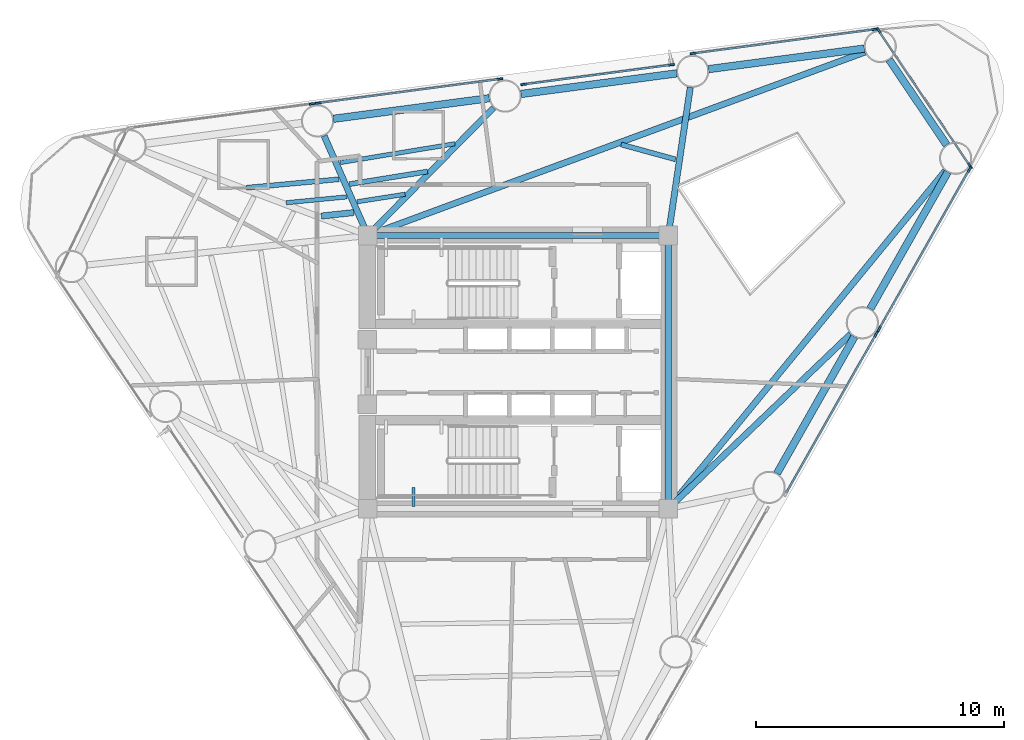
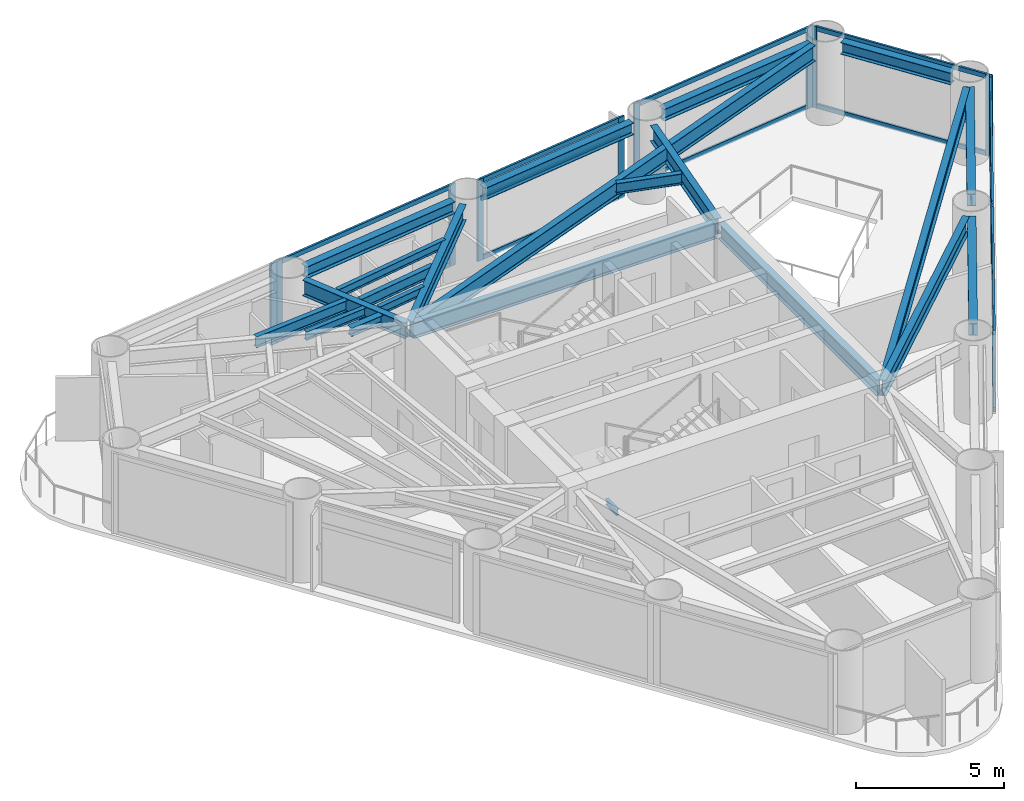
# One storey, part 3 of 9: 25 members, 22 beams, 7 elements without a shape of their own.
"""IFC4 building model written with IfcOpenShell, lengths in metres."""

from ifc_helpers import new_model, si_unit, direction, frame, origin, origin_2d, place, context, subcontext, project, spatial, rectangle, i_section, extrude, source, transform, mapped, material, layer, layer_set, material_profile, profile_set, type_object, element, aggregate, save


model = new_model("IFC4")

# Units and contexts
model_context = context("Model", 3, precision=1e-05, world=origin(), true_north=direction((0.0, 1.0)))
body_context = subcontext(model_context, "Body", "Model", "MODEL_VIEW")
ifc_project = project(units=[si_unit("LENGTHUNIT", "METRE"), si_unit("AREAUNIT", "SQUARE_METRE"), si_unit("VOLUMEUNIT", "CUBIC_METRE"), si_unit("PLANEANGLEUNIT", "RADIAN"), si_unit("MASSUNIT", "GRAM", prefix="KILO")], contexts=[model_context])

# Site, building, storey
site_placement = place(None, origin())
site = spatial("IfcSite", under=ifc_project, at=site_placement, CompositionType="ELEMENT")
building_placement = place(site_placement, origin())
building = spatial("IfcBuilding", under=site, at=building_placement, Name="Yunling Apex Tower", CompositionType="ELEMENT")
storey_placement = place(building_placement, frame((0.0, 0.0, 172.550048828125)))
storey = spatial("IfcBuildingStorey", under=building, at=storey_placement, Name="L42", CompositionType="ELEMENT", Elevation=172.550048828125)

# Beams
ifc_material_1 = material(Name="Steel Q355B", Category="steel")
ifc_material_profile_1 = material_profile(ifc_material_1, i_section(OverallWidth=0.125, OverallDepth=0.25, WebThickness=0.006103515625, FlangeThickness=0.009033203125, FilletRadius=0.011962890625, at=origin_2d()))
ifc_profile_set_1 = profile_set([ifc_material_profile_1], Name="Steel Q355B")
beam_type_1 = type_object("IfcBeamType", Name="BL-LNT-1", PredefinedType="LINTEL", material=ifc_profile_set_1)
shared_shape_1 = source(origin(), body_context, "Body", "SweptSolid", [
    extrude(i_section(OverallWidth=0.125, OverallDepth=0.25, WebThickness=0.006103515625, FlangeThickness=0.009033203125, FilletRadius=0.011962890625, at=origin_2d()), origin(), (0.0, 0.0, 1.0), 0.760009765625),
])
beam_1_placement = place(storey_placement, frame((-4.205078125, -5.419921875, 1.405029296875), z_axis=(0.0, 1.0, 0.0), x_axis=(-1.0, 0.0, 0.0)))
element("IfcBeam", 1, at=beam_1_placement, inside=storey, type_object=beam_type_1, Name="L42 ST-2 Landing Bearing Corbel 1-3", PredefinedType="LINTEL", context=body_context, shape_type="MappedRepresentation", body=[
    mapped(shared_shape_1, transform((0.0, 0.0, 0.0), scale=1.0)),
])
ifc_material_profile_2 = material_profile(ifc_material_1, i_section(OverallWidth=0.25, OverallDepth=0.64990234375, WebThickness=0.011962890625, FlangeThickness=0.02001953125, FilletRadius=0.02392578125, at=origin_2d()))
ifc_profile_set_2 = profile_set([ifc_material_profile_2], Name="Steel Q355B")
beam_type_2 = type_object("IfcBeamType", Name="BG-PRI-4", PredefinedType="USERDEFINED", material=ifc_profile_set_2)
shared_shape_2 = source(origin(), body_context, "Body", "SweptSolid", [
    extrude(i_section(OverallWidth=0.25, OverallDepth=0.64990234375, WebThickness=0.011962890625, FlangeThickness=0.02001953125, FilletRadius=0.02392578125, at=origin_2d()), origin(), (0.0, 0.0, 1.0), 11.7998046875),
])
beam_2_placement = place(storey_placement, frame((5.89990234375, 5.5, 2.945068359375), z_axis=(-1.0, 0.0, 0.0), x_axis=(0.0, -1.0, 0.0)))
element("IfcBeam", 2, at=beam_2_placement, inside=storey, type_object=beam_type_2, Name="L42 Core Ring Tie Beam 3", ObjectType="GIRDER", PredefinedType="USERDEFINED", context=body_context, shape_type="MappedRepresentation", body=[
    mapped(shared_shape_2, transform((0.0, 0.0, 0.0), scale=1.0)),
])
shared_shape_3 = source(origin(), body_context, "Body", "SweptSolid", [
    extrude(i_section(OverallWidth=0.25, OverallDepth=0.64990234375, WebThickness=0.011962890625, FlangeThickness=0.02001953125, FilletRadius=0.02392578125, at=origin_2d()), origin(), (0.0, 0.0, 1.0), 10.7001953125),
])
beam_3_placement = place(storey_placement, frame((6.050048828125, -5.35009765625, 2.945068359375), z_axis=(0.0, 1.0, 0.0), x_axis=(-1.0, 0.0, 0.0)))
element("IfcBeam", 3, at=beam_3_placement, inside=storey, type_object=beam_type_2, Name="L42 Core Ring Tie Beam 2", ObjectType="GIRDER", PredefinedType="USERDEFINED", context=body_context, shape_type="MappedRepresentation", body=[
    mapped(shared_shape_3, transform((0.0, 0.0, 0.0), scale=1.0)),
])
ifc_material_profile_3 = material_profile(ifc_material_1, i_section(OverallWidth=0.300048828125, OverallDepth=0.489990234375, WebThickness=0.010986328125, FlangeThickness=0.01806640625, FilletRadius=0.02197265625, at=origin_2d()))
ifc_profile_set_3 = profile_set([ifc_material_profile_3], Name="Steel Q355B")
beam_type_3 = type_object("IfcBeamType", Name="BP-SPN-2", PredefinedType="SPANDREL", material=ifc_profile_set_3)
shared_shape_4 = source(origin(), body_context, "Body", "SweptSolid", [
    extrude(i_section(OverallWidth=0.300048828125, OverallDepth=0.489990234375, WebThickness=0.010986328125, FlangeThickness=0.01806640625, FilletRadius=0.02197265625, at=origin_2d()), origin(), (0.0, 0.0, 1.0), 6.332763671875),
])
beam_4_placement = place(storey_placement, frame((10.426513671875, -4.087646484375, 3.02490234375), z_axis=(0.493042725972, 0.870005097897, 0.0), x_axis=(-0.870005097897, 0.493042725972, 0.0)))
element("IfcBeam", 4, at=beam_4_placement, inside=storey, type_object=beam_type_3, Name="L42 Perimeter Spandrel Beam 3", PredefinedType="SPANDREL", context=body_context, shape_type="MappedRepresentation", body=[
    mapped(shared_shape_4, transform((0.0, 0.0, 0.0), scale=1.0)),
])
shared_shape_5 = source(origin(), body_context, "Body", "SweptSolid", [
    extrude(i_section(OverallWidth=0.300048828125, OverallDepth=0.489990234375, WebThickness=0.010986328125, FlangeThickness=0.01806640625, FilletRadius=0.02197265625, at=origin_2d()), origin(), (0.0, 0.0, 1.0), 6.33251953125),
])
for number, where, z_axis, x_axis, name in (
    (5, (14.183837890625, 2.54248046875, 3.02490234375), (0.493030081742, 0.870012263418, 0.0), (-0.870012263418, 0.493030081742, 0.0), "L42 Perimeter Spandrel Beam 4"),
    (6, (13.948486328125, 13.029541015625, 3.02490234375), (-0.991351373324, -0.131234349957, 0.0), (0.131234349957, -0.991351373324, 0.0), "L42 Perimeter Spandrel Beam 6"),
    (7, (6.393798828125, 12.029541015625, 3.02490234375), (-0.991351373324, -0.131234349957, 0.0), (0.131234349957, -0.991351373324, 0.0), "L42 Perimeter Spandrel Beam 7"),
    (8, (-1.160888671875, 11.029541015625, 3.02490234375), (-0.991356388343, -0.131196460665, 0.0), (0.131196460665, -0.991356388343, 0.0), "L42 Perimeter Spandrel Beam 8"),
):
    element("IfcBeam", number, at=place(storey_placement, frame(where, z_axis=z_axis, x_axis=x_axis)), inside=storey, type_object=beam_type_3, Name=name, PredefinedType="SPANDREL", context=body_context, shape_type="MappedRepresentation", body=[
        mapped(shared_shape_5, transform((0.0, 0.0, 0.0), scale=1.0)),
    ])
shared_shape_6 = source(origin(), body_context, "Body", "SweptSolid", [
    extrude(i_section(OverallWidth=0.300048828125, OverallDepth=0.489990234375, WebThickness=0.010986328125, FlangeThickness=0.01806640625, FilletRadius=0.02197265625, at=origin_2d()), origin(), (0.0, 0.0, 1.0), 4.142333984375),
])
beam_5_placement = place(storey_placement, frame((17.263427734375, 9.14599609375, 3.02490234375), z_axis=(-0.559207616177, 0.829027648519, 0.0), x_axis=(-0.829027648519, -0.559207616177, 0.0)))
element("IfcBeam", 9, at=beam_5_placement, inside=storey, type_object=beam_type_3, Name="L42 Perimeter Spandrel Beam 5", PredefinedType="SPANDREL", context=body_context, shape_type="MappedRepresentation", body=[
    mapped(shared_shape_6, transform((0.0, 0.0, 0.0), scale=1.0)),
])
shared_shape_7 = source(origin(), body_context, "Body", "SweptSolid", [
    extrude(i_section(OverallWidth=0.25, OverallDepth=0.64990234375, WebThickness=0.011962890625, FlangeThickness=0.02001953125, FilletRadius=0.02392578125, at=origin_2d()), origin(), (0.0, 0.0, 1.0), 10.08203125),
])
beam_6_placement = place(storey_placement, frame((13.39111328125, 1.527099609375, 2.945068359375), z_axis=(-0.722387273854, -0.691488703143, 0.0), x_axis=(0.691488703143, -0.722387273854, 0.0)))
element("IfcBeam", 10, at=beam_6_placement, inside=storey, type_object=beam_type_2, Name="L42 Radial Primary Girder R04", ObjectType="GIRDER", PredefinedType="USERDEFINED", context=body_context, shape_type="MappedRepresentation", body=[
    mapped(shared_shape_7, transform((0.0, 0.0, 0.0), scale=1.0)),
])
shared_shape_8 = source(origin(), body_context, "Body", "SweptSolid", [
    extrude(i_section(OverallWidth=0.25, OverallDepth=0.64990234375, WebThickness=0.011962890625, FlangeThickness=0.02001953125, FilletRadius=0.02392578125, at=origin_2d()), origin(), (0.0, 0.0, 1.0), 17.512939453125),
])
beam_7_placement = place(storey_placement, frame((17.206298828125, 8.103271484375, 2.945068359375), z_axis=(-0.634143770781, -0.773215156331, 0.0), x_axis=(0.773215156331, -0.634143770781, 0.0)))
element("IfcBeam", 11, at=beam_7_placement, inside=storey, type_object=beam_type_2, Name="L42 Radial Primary Girder R05", ObjectType="GIRDER", PredefinedType="USERDEFINED", context=body_context, shape_type="MappedRepresentation", body=[
    mapped(shared_shape_8, transform((0.0, 0.0, 0.0), scale=1.0)),
])
shared_shape_9 = source(origin(), body_context, "Body", "SweptSolid", [
    extrude(i_section(OverallWidth=0.25, OverallDepth=0.64990234375, WebThickness=0.011962890625, FlangeThickness=0.02001953125, FilletRadius=0.02392578125, at=origin_2d()), origin(), (0.0, 0.0, 1.0), 21.258544921875),
])
beam_8_placement = place(storey_placement, frame((13.969482421875, 12.88623046875, 2.945068359375), z_axis=(-0.938179289615, -0.346149708274, 0.0), x_axis=(0.346149708274, -0.938179289615, 0.0)))
element("IfcBeam", 12, at=beam_8_placement, inside=storey, type_object=beam_type_2, Name="L42 Radial Primary Girder R06", ObjectType="GIRDER", PredefinedType="USERDEFINED", context=body_context, shape_type="MappedRepresentation", body=[
    mapped(shared_shape_9, transform((0.0, 0.0, 0.0), scale=1.0)),
])
shared_shape_10 = source(origin(), body_context, "Body", "SweptSolid", [
    extrude(i_section(OverallWidth=0.25, OverallDepth=0.64990234375, WebThickness=0.011962890625, FlangeThickness=0.02001953125, FilletRadius=0.02392578125, at=origin_2d()), origin(), (0.0, 0.0, 1.0), 5.948486328125),
])
beam_9_placement = place(storey_placement, frame((6.935546875, 11.463134765625, 2.945068359375), z_axis=(-0.146889273353, -0.989152941346, 0.0), x_axis=(0.989152941346, -0.146889273353, 0.0)))
element("IfcBeam", 13, at=beam_9_placement, inside=storey, type_object=beam_type_2, Name="L42 Radial Primary Girder R07", ObjectType="GIRDER", PredefinedType="USERDEFINED", context=body_context, shape_type="MappedRepresentation", body=[
    mapped(shared_shape_10, transform((0.0, 0.0, 0.0), scale=1.0)),
])
shared_shape_11 = source(origin(), body_context, "Body", "SweptSolid", [
    extrude(i_section(OverallWidth=0.25, OverallDepth=0.64990234375, WebThickness=0.011962890625, FlangeThickness=0.02001953125, FilletRadius=0.02392578125, at=origin_2d()), origin(), (0.0, 0.0, 1.0), 7.140625),
])
beam_10_placement = place(storey_placement, frame((-0.984130859375, 10.645263671875, 2.945068359375), z_axis=(-0.701580749748, -0.712589960344, 0.0), x_axis=(0.712589960344, -0.701580749748, 0.0)))
element("IfcBeam", 14, at=beam_10_placement, inside=storey, type_object=beam_type_2, Name="L42 Radial Primary Girder R08", ObjectType="GIRDER", PredefinedType="USERDEFINED", context=body_context, shape_type="MappedRepresentation", body=[
    mapped(shared_shape_11, transform((0.0, 0.0, 0.0), scale=1.0)),
])
shared_shape_12 = source(origin(), body_context, "Body", "SweptSolid", [
    extrude(i_section(OverallWidth=0.25, OverallDepth=0.64990234375, WebThickness=0.011962890625, FlangeThickness=0.02001953125, FilletRadius=0.02392578125, at=origin_2d()), origin(), (0.0, 0.0, 1.0), 4.3017578125),
])
beam_11_placement = place(storey_placement, frame((-7.8125, 9.51171875, 2.945068359375), z_axis=(0.402211714237, -0.915546687466, 0.0), x_axis=(0.915546687466, 0.402211714237, 0.0)))
element("IfcBeam", 15, at=beam_11_placement, inside=storey, type_object=beam_type_2, Name="L42 Radial Primary Girder R09", ObjectType="GIRDER", PredefinedType="USERDEFINED", context=body_context, shape_type="MappedRepresentation", body=[
    mapped(shared_shape_12, transform((0.0, 0.0, 0.0), scale=1.0)),
])
ifc_material_profile_4 = material_profile(ifc_material_1, i_section(OverallWidth=0.199951171875, OverallDepth=0.449951171875, WebThickness=0.009033203125, FlangeThickness=0.013916015625, FilletRadius=0.01806640625, at=origin_2d()))
ifc_profile_set_4 = profile_set([ifc_material_profile_4], Name="Steel Q355B")
beam_type_4 = type_object("IfcBeamType", Name="BS-SEC-3", PredefinedType="BEAM", material=ifc_profile_set_4)
shared_shape_13 = source(origin(), body_context, "Body", "SweptSolid", [
    extrude(i_section(OverallWidth=0.199951171875, OverallDepth=0.449951171875, WebThickness=0.009033203125, FlangeThickness=0.013916015625, FilletRadius=0.01806640625, at=origin_2d()), origin(), (0.0, 0.0, 1.0), 2.2734375),
])
beam_12_placement = place(storey_placement, frame((4.151611328125, 9.16455078125, 3.044921875), z_axis=(0.964418538673, -0.264380185081, 0.0), x_axis=(0.264380185081, 0.964418538673, 0.0)))
element("IfcBeam", 16, at=beam_12_placement, inside=storey, type_object=beam_type_4, Name="L42 Composite Floor Beam BS-6", PredefinedType="BEAM", context=body_context, shape_type="MappedRepresentation", body=[
    mapped(shared_shape_13, transform((0.0, 0.0, 0.0), scale=1.0)),
])
shared_shape_14 = source(origin(), body_context, "Body", "SweptSolid", [
    extrude(i_section(OverallWidth=0.199951171875, OverallDepth=0.449951171875, WebThickness=0.009033203125, FlangeThickness=0.013916015625, FilletRadius=0.01806640625, at=origin_2d()), origin(), (0.0, 0.0, 1.0), 3.18310546875),
])
beam_13_placement = place(storey_placement, frame((-3.64697265625, 8.07568359375, 3.044921875), z_axis=(-0.987204533881, -0.159459111642, 0.0), x_axis=(0.159459111642, -0.987204533881, 0.0)))
element("IfcBeam", 17, at=beam_13_placement, inside=storey, type_object=beam_type_4, Name="L42 Composite Floor Beam BS-8", PredefinedType="BEAM", context=body_context, shape_type="MappedRepresentation", body=[
    mapped(shared_shape_14, transform((0.0, 0.0, 0.0), scale=1.0)),
])
ifc_material_profile_5 = material_profile(ifc_material_1, i_section(OverallWidth=0.175048828125, OverallDepth=0.35009765625, WebThickness=0.007080078125, FlangeThickness=0.010986328125, FilletRadius=0.013916015625, at=origin_2d()))
ifc_profile_set_5 = profile_set([ifc_material_profile_5], Name="Steel Q355B")
beam_type_5 = type_object("IfcBeamType", Name="BJ-JST-1", PredefinedType="JOIST", material=ifc_profile_set_5)
shared_shape_15 = source(origin(), body_context, "Body", "SweptSolid", [
    extrude(i_section(OverallWidth=0.175048828125, OverallDepth=0.35009765625, WebThickness=0.007080078125, FlangeThickness=0.010986328125, FilletRadius=0.013916015625, at=origin_2d()), origin(), (0.0, 0.0, 1.0), 4.6875),
])
beam_14_placement = place(storey_placement, frame((-2.544677734375, 9.194580078125, 3.094970703125), z_axis=(-0.986776909696, -0.162084331414, 0.0), x_axis=(0.162084331414, -0.986776909696, 0.0)))
element("IfcBeam", 18, at=beam_14_placement, inside=storey, type_object=beam_type_5, Name="L42 Composite Floor Joist BJ1-8", PredefinedType="JOIST", context=body_context, shape_type="MappedRepresentation", body=[
    mapped(shared_shape_15, transform((0.0, 0.0, 0.0), scale=1.0)),
])
shared_shape_16 = source(origin(), body_context, "Body", "SweptSolid", [
    extrude(i_section(OverallWidth=0.175048828125, OverallDepth=0.35009765625, WebThickness=0.007080078125, FlangeThickness=0.010986328125, FilletRadius=0.013916015625, at=origin_2d()), origin(), (0.0, 0.0, 1.0), 1.952392578125),
])
beam_15_placement = place(storey_placement, frame((-4.548828125, 7.160400390625, 3.094970703125), z_axis=(-0.98796490296, -0.154678216044, 0.0), x_axis=(0.154678216044, -0.98796490296, 0.0)))
element("IfcBeam", 19, at=beam_15_placement, inside=storey, type_object=beam_type_5, Name="L42 Composite Floor Joist BJ3-8", PredefinedType="JOIST", context=body_context, shape_type="MappedRepresentation", body=[
    mapped(shared_shape_16, transform((0.0, 0.0, 0.0), scale=1.0)),
])
shared_shape_17 = source(origin(), body_context, "Body", "SweptSolid", [
    extrude(i_section(OverallWidth=0.199951171875, OverallDepth=0.449951171875, WebThickness=0.009033203125, FlangeThickness=0.013916015625, FilletRadius=0.01806640625, at=origin_2d()), origin(), (0.0, 0.0, 1.0), 3.749755859375),
])
beam_16_placement = place(storey_placement, frame((-7.21044921875, 7.76416015625, 3.044921875), z_axis=(-0.995801444966, -0.091539511711, 0.0), x_axis=(0.091539511711, -0.995801444966, 0.0)))
element("IfcBeam", 20, at=beam_16_placement, inside=storey, type_object=beam_type_4, Name="L42 Composite Floor Beam BS-9", PredefinedType="BEAM", context=body_context, shape_type="MappedRepresentation", body=[
    mapped(shared_shape_17, transform((0.0, 0.0, 0.0), scale=1.0)),
])
shared_shape_18 = source(origin(), body_context, "Body", "SweptSolid", [
    extrude(i_section(OverallWidth=0.175048828125, OverallDepth=0.35009765625, WebThickness=0.007080078125, FlangeThickness=0.010986328125, FilletRadius=0.013916015625, at=origin_2d()), origin(), (0.0, 0.0, 1.0), 2.456787109375),
])
beam_17_placement = place(storey_placement, frame((-6.89892578125, 7.054443359375, 3.094970703125), z_axis=(-0.995362299538, -0.096197155147, 0.0), x_axis=(0.096197155147, -0.995362299538, 0.0)))
element("IfcBeam", 21, at=beam_17_placement, inside=storey, type_object=beam_type_5, Name="L42 Composite Floor Joist BJ3-9", PredefinedType="JOIST", context=body_context, shape_type="MappedRepresentation", body=[
    mapped(shared_shape_18, transform((0.0, 0.0, 0.0), scale=1.0)),
])
ifc_material_profile_6 = material_profile(ifc_material_1, i_section(OverallWidth=0.25, OverallDepth=0.340087890625, WebThickness=0.009033203125, FlangeThickness=0.013916015625, FilletRadius=0.01806640625, at=origin_2d()))
ifc_profile_set_6 = profile_set([ifc_material_profile_6], Name="Steel Q355B")
beam_type_6 = type_object("IfcBeamType", Name="BJ-JST-2", PredefinedType="JOIST", material=ifc_profile_set_6)
shared_shape_19 = source(origin(), body_context, "Body", "SweptSolid", [
    extrude(i_section(OverallWidth=0.25, OverallDepth=0.340087890625, WebThickness=0.009033203125, FlangeThickness=0.013916015625, FilletRadius=0.01806640625, at=origin_2d()), origin(), (0.0, 0.0, 1.0), 1.307373046875),
])
beam_18_placement = place(storey_placement, frame((-6.6220703125, 6.422607421875, 3.099853515625), z_axis=(-0.994297843948, -0.106638630521, 0.0), x_axis=(0.106638630521, -0.994297843948, 0.0)))
element("IfcBeam", 22, at=beam_18_placement, inside=storey, type_object=beam_type_6, Name="L42 Composite Floor Joist BJ2-9", PredefinedType="JOIST", context=body_context, shape_type="MappedRepresentation", body=[
    mapped(shared_shape_19, transform((0.0, 0.0, 0.0), scale=1.0)),
])

# Curtain wall, member
ifc_material_2 = material(Name="Bronze anodised aluminium", Category="aluminium")
ifc_layer = layer(ifc_material_2, 0.239990234375)
ifc_layer_set = layer_set([ifc_layer], Name="Bronze anodised aluminium")
curtain_wall_type = type_object("IfcCurtainWallType", Name="CW-SYS-3", PredefinedType="NOTDEFINED", material=ifc_layer_set)
curtain_wall_1_placement = place(storey_placement, origin())
curtain_wall_1 = element("IfcCurtainWall", 23, at=curtain_wall_1_placement, inside=storey, type_object=curtain_wall_type, Name="CW-L42-F1-B3", PredefinedType="NOTDEFINED")
ifc_material_profile_7 = material_profile(ifc_material_2, rectangle(XDim=0.080078125, YDim=0.239990234375, at=origin_2d()))
ifc_profile_set_7 = profile_set([ifc_material_profile_7], Name="Bronze anodised aluminium")
member_type_1 = type_object("IfcMemberType", Name="CW-MUL-3", PredefinedType="MULLION", material=ifc_profile_set_7)
shared_shape_20 = source(origin(), body_context, "Body", "SweptSolid", [
    extrude(rectangle(XDim=0.080078125, YDim=0.239990234375, at=origin_2d()), origin(), (0.0, 0.0, 1.0), 3.3701171875),
])
member_1_placement = place(storey_placement, frame((14.4248046875, 1.527587890625, -0.050048828125), z_axis=(0.0, 0.0, 1.0), x_axis=(-0.870009345679, 0.493035230416, 0.0)))
member_1 = element("IfcMember", 24, at=member_1_placement, type_object=member_type_1, Name="CW-SYS-3 mullion 2", PredefinedType="MULLION", context=body_context, shape_type="MappedRepresentation", body=[
    mapped(shared_shape_20, transform((0.0, 0.0, 0.0), scale=1.0)),
])

# Curtain wall, members
curtain_wall_2_placement = place(storey_placement, origin())
curtain_wall_2 = element("IfcCurtainWall", 25, at=curtain_wall_2_placement, inside=storey, type_object=curtain_wall_type, Name="CW-L42-F1-B4", PredefinedType="NOTDEFINED")
member_2_placement = place(storey_placement, frame((14.543212890625, 1.736572265625, -0.050048828125), z_axis=(0.0, 0.0, 1.0), x_axis=(-0.870006087438, 0.493040979859, 0.0)))
member_2 = element("IfcMember", 26, at=member_2_placement, type_object=member_type_1, Name="CW-SYS-3 mullion 1", PredefinedType="MULLION", context=body_context, shape_type="MappedRepresentation", body=[
    mapped(shared_shape_20, transform((0.0, 0.0, 0.0), scale=1.0)),
])
member_3_placement = place(storey_placement, frame((18.18212890625, 8.15771484375, -0.050048828125), z_axis=(0.0, 0.0, 1.0), x_axis=(-0.870006087438, 0.493040979859, 0.0)))
member_3 = element("IfcMember", 27, at=member_3_placement, type_object=member_type_1, Name="CW-SYS-3 mullion 2", PredefinedType="MULLION", context=body_context, shape_type="MappedRepresentation", body=[
    mapped(shared_shape_20, transform((0.0, 0.0, 0.0), scale=1.0)),
])

curtain_wall_3_placement = place(storey_placement, origin())
curtain_wall_3 = element("IfcCurtainWall", 28, at=curtain_wall_3_placement, inside=storey, type_object=curtain_wall_type, Name="CW-L42-CRN1", PredefinedType="NOTDEFINED")
member_4_placement = place(storey_placement, frame((18.201416015625, 8.30517578125, -0.050048828125), z_axis=(0.0, 0.0, 1.0), x_axis=(-0.829037677921, -0.559192747259, 0.0)))
member_4 = element("IfcMember", 29, at=member_4_placement, type_object=member_type_1, Name="CW-SYS-3 mullion 1", PredefinedType="MULLION", context=body_context, shape_type="MappedRepresentation", body=[
    mapped(shared_shape_20, transform((0.0, 0.0, 0.0), scale=1.0)),
])
member_5_placement = place(storey_placement, frame((14.518798828125, 13.764892578125, -0.050048828125), z_axis=(0.0, 0.0, 1.0), x_axis=(-0.829037677921, -0.559192747259, 0.0)))
member_5 = element("IfcMember", 30, at=member_5_placement, type_object=member_type_1, Name="CW-SYS-3 mullion 2", PredefinedType="MULLION", context=body_context, shape_type="MappedRepresentation", body=[
    mapped(shared_shape_20, transform((0.0, 0.0, 0.0), scale=1.0)),
])

curtain_wall_4_placement = place(storey_placement, origin())
curtain_wall_4 = element("IfcCurtainWall", 31, at=curtain_wall_4_placement, inside=storey, type_object=curtain_wall_type, Name="CW-L42-F2-B1", PredefinedType="NOTDEFINED")
member_6_placement = place(storey_placement, frame((14.374755859375, 13.80224609375, -0.050048828125), z_axis=(0.0, 0.0, 1.0), x_axis=(0.131222473138, -0.991352945496, 0.0)))
member_6 = element("IfcMember", 32, at=member_6_placement, type_object=member_type_1, Name="CW-SYS-3 mullion 1", PredefinedType="MULLION", context=body_context, shape_type="MappedRepresentation", body=[
    mapped(shared_shape_20, transform((0.0, 0.0, 0.0), scale=1.0)),
])
member_7_placement = place(storey_placement, frame((7.05810546875, 12.833740234375, -0.050048828125), z_axis=(0.0, 0.0, 1.0), x_axis=(0.131222473138, -0.991352945496, 0.0)))
member_7 = element("IfcMember", 33, at=member_7_placement, type_object=member_type_1, Name="CW-SYS-3 mullion 2", PredefinedType="MULLION", context=body_context, shape_type="MappedRepresentation", body=[
    mapped(shared_shape_20, transform((0.0, 0.0, 0.0), scale=1.0)),
])

curtain_wall_5_placement = place(storey_placement, origin())
curtain_wall_5 = element("IfcCurtainWall", 34, at=curtain_wall_5_placement, inside=storey, type_object=curtain_wall_type, Name="CW-L42-F2-B2", PredefinedType="NOTDEFINED")
member_8_placement = place(storey_placement, frame((6.1806640625, 12.37451171875, -0.050048828125), z_axis=(0.0, 0.0, 1.0), x_axis=(0.131204916036, -0.99135526932, 0.0)))
member_8 = element("IfcMember", 35, at=member_8_placement, type_object=member_type_1, Name="CW-SYS-3 mullion 1", PredefinedType="MULLION", context=body_context, shape_type="MappedRepresentation", body=[
    mapped(shared_shape_20, transform((0.0, 0.0, 0.0), scale=1.0)),
])
member_9_placement = place(storey_placement, frame((0.23193359375, 11.587158203125, -0.050048828125), z_axis=(0.0, 0.0, 1.0), x_axis=(0.131204916036, -0.99135526932, 0.0)))
member_9 = element("IfcMember", 36, at=member_9_placement, type_object=member_type_1, Name="CW-SYS-3 mullion 2", PredefinedType="MULLION", context=body_context, shape_type="MappedRepresentation", body=[
    mapped(shared_shape_20, transform((0.0, 0.0, 0.0), scale=1.0)),
])

curtain_wall_6_placement = place(storey_placement, origin())
curtain_wall_6 = element("IfcCurtainWall", 37, at=curtain_wall_6_placement, inside=storey, type_object=curtain_wall_type, Name="CW-L42-F2-B3", PredefinedType="NOTDEFINED")
member_10_placement = place(storey_placement, frame((-0.734619140625, 11.80224609375, -0.050048828125), z_axis=(0.0, 0.0, 1.0), x_axis=(0.13120930019, -0.991354689071, 0.0)))
member_10 = element("IfcMember", 38, at=member_10_placement, type_object=member_type_1, Name="CW-SYS-3 mullion 1", PredefinedType="MULLION", context=body_context, shape_type="MappedRepresentation", body=[
    mapped(shared_shape_20, transform((0.0, 0.0, 0.0), scale=1.0)),
])
member_11_placement = place(storey_placement, frame((-8.05126953125, 10.833740234375, -0.050048828125), z_axis=(0.0, 0.0, 1.0), x_axis=(0.13120930019, -0.991354689071, 0.0)))
member_11 = element("IfcMember", 39, at=member_11_placement, type_object=member_type_1, Name="CW-SYS-3 mullion 2", PredefinedType="MULLION", context=body_context, shape_type="MappedRepresentation", body=[
    mapped(shared_shape_20, transform((0.0, 0.0, 0.0), scale=1.0)),
])

# Curtain wall, member
curtain_wall_7_placement = place(storey_placement, origin())
curtain_wall_7 = element("IfcCurtainWall", 40, at=curtain_wall_7_placement, inside=storey, type_object=curtain_wall_type, Name="CW-L42-F2-B4", PredefinedType="NOTDEFINED")
member_12_placement = place(storey_placement, frame((-8.289306640625, 10.80224609375, -0.050048828125), z_axis=(0.0, 0.0, 1.0), x_axis=(0.131222473138, -0.991352945496, 0.0)))
member_12 = element("IfcMember", 41, at=member_12_placement, type_object=member_type_1, Name="CW-SYS-3 mullion 1", PredefinedType="MULLION", context=body_context, shape_type="MappedRepresentation", body=[
    mapped(shared_shape_20, transform((0.0, 0.0, 0.0), scale=1.0)),
])
aggregate(curtain_wall_7, [member_12])

# Member
ifc_material_profile_8 = material_profile(ifc_material_2, rectangle(XDim=0.080078125, YDim=0.18505859375, at=origin_2d()))
ifc_profile_set_8 = profile_set([ifc_material_profile_8], Name="Bronze anodised aluminium")
member_type_2 = type_object("IfcMemberType", Name="CW-TRN-3", PredefinedType="USERDEFINED", material=ifc_profile_set_8)
shared_shape_21 = source(origin(), body_context, "Body", "SweptSolid", [
    extrude(rectangle(XDim=0.080078125, YDim=0.18505859375, at=origin_2d()), origin(), (0.0, 0.0, 1.0), 5.9287109375),
])
member_13_placement = place(storey_placement, frame((6.14501953125, 12.369873046875, 0.0400390625), z_axis=(-0.991356183804, -0.131198006214, 0.0), x_axis=(0.131198006214, -0.991356183804, 0.0)))
member_13 = element("IfcMember", 42, at=member_13_placement, type_object=member_type_2, Name="CW-SYS-3 transom 1.1", ObjectType="TRANSOM", PredefinedType="USERDEFINED", context=body_context, shape_type="MappedRepresentation", body=[
    mapped(shared_shape_21, transform((0.0, 0.0, 0.0), scale=1.0)),
])

member_14_placement = place(storey_placement, frame((6.14501953125, 12.369873046875, 2.485107421875), z_axis=(-0.991356183804, -0.131198006214, 0.0), x_axis=(0.131198006214, -0.991356183804, 0.0)))
member_14 = element("IfcMember", 43, at=member_14_placement, type_object=member_type_2, Name="CW-SYS-3 transom 1.2", ObjectType="TRANSOM", PredefinedType="USERDEFINED", context=body_context, shape_type="MappedRepresentation", body=[
    mapped(shared_shape_21, transform((0.0, 0.0, 0.0), scale=1.0)),
])

member_15_placement = place(storey_placement, frame((6.14501953125, 12.369873046875, 3.22998046875), z_axis=(-0.991356183804, -0.131198006214, 0.0), x_axis=(0.131198006214, -0.991356183804, 0.0)))
member_15 = element("IfcMember", 44, at=member_15_placement, type_object=member_type_2, Name="CW-SYS-3 transom 1.3", ObjectType="TRANSOM", PredefinedType="USERDEFINED", context=body_context, shape_type="MappedRepresentation", body=[
    mapped(shared_shape_21, transform((0.0, 0.0, 0.0), scale=1.0)),
])

aggregate(curtain_wall_5, [member_8, member_9, member_13, member_14, member_15])

shared_shape_22 = source(origin(), body_context, "Body", "SweptSolid", [
    extrude(rectangle(XDim=0.080078125, YDim=0.18505859375, at=origin_2d()), origin(), (0.0, 0.0, 1.0), 7.308837890625),
])
member_16_placement = place(storey_placement, frame((10.8037109375, -4.8623046875, 0.0400390625), z_axis=(0.493042070546, 0.870005469334, 0.0), x_axis=(-0.870005469334, 0.493042070546, 0.0)))
member_16 = element("IfcMember", 45, at=member_16_placement, type_object=member_type_2, Name="CW-SYS-3 transom 1.1", ObjectType="TRANSOM", PredefinedType="USERDEFINED", context=body_context, shape_type="MappedRepresentation", body=[
    mapped(shared_shape_22, transform((0.0, 0.0, 0.0), scale=1.0)),
])

member_17_placement = place(storey_placement, frame((10.8037109375, -4.8623046875, 3.22998046875), z_axis=(0.493042070546, 0.870005469334, 0.0), x_axis=(-0.870005469334, 0.493042070546, 0.0)))
member_17 = element("IfcMember", 46, at=member_17_placement, type_object=member_type_2, Name="CW-SYS-3 transom 1.2", ObjectType="TRANSOM", PredefinedType="USERDEFINED", context=body_context, shape_type="MappedRepresentation", body=[
    mapped(shared_shape_22, transform((0.0, 0.0, 0.0), scale=1.0)),
])

aggregate(curtain_wall_1, [member_1, member_16, member_17])

member_18_placement = place(storey_placement, frame((14.560791015625, 1.767822265625, 0.0400390625), z_axis=(0.493042070546, 0.870005469334, 0.0), x_axis=(-0.870005469334, 0.493042070546, 0.0)))
member_18 = element("IfcMember", 47, at=member_18_placement, type_object=member_type_2, Name="CW-SYS-3 transom 1.1", ObjectType="TRANSOM", PredefinedType="USERDEFINED", context=body_context, shape_type="MappedRepresentation", body=[
    mapped(shared_shape_22, transform((0.0, 0.0, 0.0), scale=1.0)),
])

member_19_placement = place(storey_placement, frame((14.560791015625, 1.767822265625, 3.22998046875), z_axis=(0.493042070546, 0.870005469334, 0.0), x_axis=(-0.870005469334, 0.493042070546, 0.0)))
member_19 = element("IfcMember", 48, at=member_19_placement, type_object=member_type_2, Name="CW-SYS-3 transom 1.2", ObjectType="TRANSOM", PredefinedType="USERDEFINED", context=body_context, shape_type="MappedRepresentation", body=[
    mapped(shared_shape_22, transform((0.0, 0.0, 0.0), scale=1.0)),
])

aggregate(curtain_wall_2, [member_2, member_3, member_18, member_19])

shared_shape_23 = source(origin(), body_context, "Body", "SweptSolid", [
    extrude(rectangle(XDim=0.080078125, YDim=0.18505859375, at=origin_2d()), origin(), (0.0, 0.0, 1.0), 6.513916015625),
])
member_20_placement = place(storey_placement, frame((18.181396484375, 8.3349609375, 0.0400390625), z_axis=(-0.559206971542, 0.829028083347, 0.0), x_axis=(-0.829028083347, -0.559206971542, 0.0)))
member_20 = element("IfcMember", 49, at=member_20_placement, type_object=member_type_2, Name="CW-SYS-3 transom 1.1", ObjectType="TRANSOM", PredefinedType="USERDEFINED", context=body_context, shape_type="MappedRepresentation", body=[
    mapped(shared_shape_23, transform((0.0, 0.0, 0.0), scale=1.0)),
])

member_21_placement = place(storey_placement, frame((18.181396484375, 8.3349609375, 3.22998046875), z_axis=(-0.559206971542, 0.829028083347, 0.0), x_axis=(-0.829028083347, -0.559206971542, 0.0)))
member_21 = element("IfcMember", 50, at=member_21_placement, type_object=member_type_2, Name="CW-SYS-3 transom 1.2", ObjectType="TRANSOM", PredefinedType="USERDEFINED", context=body_context, shape_type="MappedRepresentation", body=[
    mapped(shared_shape_23, transform((0.0, 0.0, 0.0), scale=1.0)),
])

aggregate(curtain_wall_3, [member_4, member_5, member_20, member_21])

shared_shape_24 = source(origin(), body_context, "Body", "SweptSolid", [
    extrude(rectangle(XDim=0.080078125, YDim=0.18505859375, at=origin_2d()), origin(), (0.0, 0.0, 1.0), 7.30859375),
])
member_22_placement = place(storey_placement, frame((14.339111328125, 13.79736328125, 0.0400390625), z_axis=(-0.991354063091, -0.131214029714, 0.0), x_axis=(0.131214029714, -0.991354063091, 0.0)))
member_22 = element("IfcMember", 51, at=member_22_placement, type_object=member_type_2, Name="CW-SYS-3 transom 1.1", ObjectType="TRANSOM", PredefinedType="USERDEFINED", context=body_context, shape_type="MappedRepresentation", body=[
    mapped(shared_shape_24, transform((0.0, 0.0, 0.0), scale=1.0)),
])

member_23_placement = place(storey_placement, frame((14.339111328125, 13.79736328125, 3.22998046875), z_axis=(-0.991354063091, -0.131214029714, 0.0), x_axis=(0.131214029714, -0.991354063091, 0.0)))
member_23 = element("IfcMember", 52, at=member_23_placement, type_object=member_type_2, Name="CW-SYS-3 transom 1.2", ObjectType="TRANSOM", PredefinedType="USERDEFINED", context=body_context, shape_type="MappedRepresentation", body=[
    mapped(shared_shape_24, transform((0.0, 0.0, 0.0), scale=1.0)),
])

aggregate(curtain_wall_4, [member_6, member_7, member_22, member_23])

member_24_placement = place(storey_placement, frame((-0.770263671875, 11.797607421875, 0.0400390625), z_axis=(-0.991354063091, -0.131214029714, 0.0), x_axis=(0.131214029714, -0.991354063091, 0.0)))
member_24 = element("IfcMember", 53, at=member_24_placement, type_object=member_type_2, Name="CW-SYS-3 transom 1.1", ObjectType="TRANSOM", PredefinedType="USERDEFINED", context=body_context, shape_type="MappedRepresentation", body=[
    mapped(shared_shape_24, transform((0.0, 0.0, 0.0), scale=1.0)),
])

member_25_placement = place(storey_placement, frame((-0.770263671875, 11.797607421875, 3.22998046875), z_axis=(-0.991354063091, -0.131214029714, 0.0), x_axis=(0.131214029714, -0.991354063091, 0.0)))
member_25 = element("IfcMember", 54, at=member_25_placement, type_object=member_type_2, Name="CW-SYS-3 transom 1.2", ObjectType="TRANSOM", PredefinedType="USERDEFINED", context=body_context, shape_type="MappedRepresentation", body=[
    mapped(shared_shape_24, transform((0.0, 0.0, 0.0), scale=1.0)),
])

aggregate(curtain_wall_6, [member_10, member_11, member_24, member_25])

save(model, "model.ifc")
